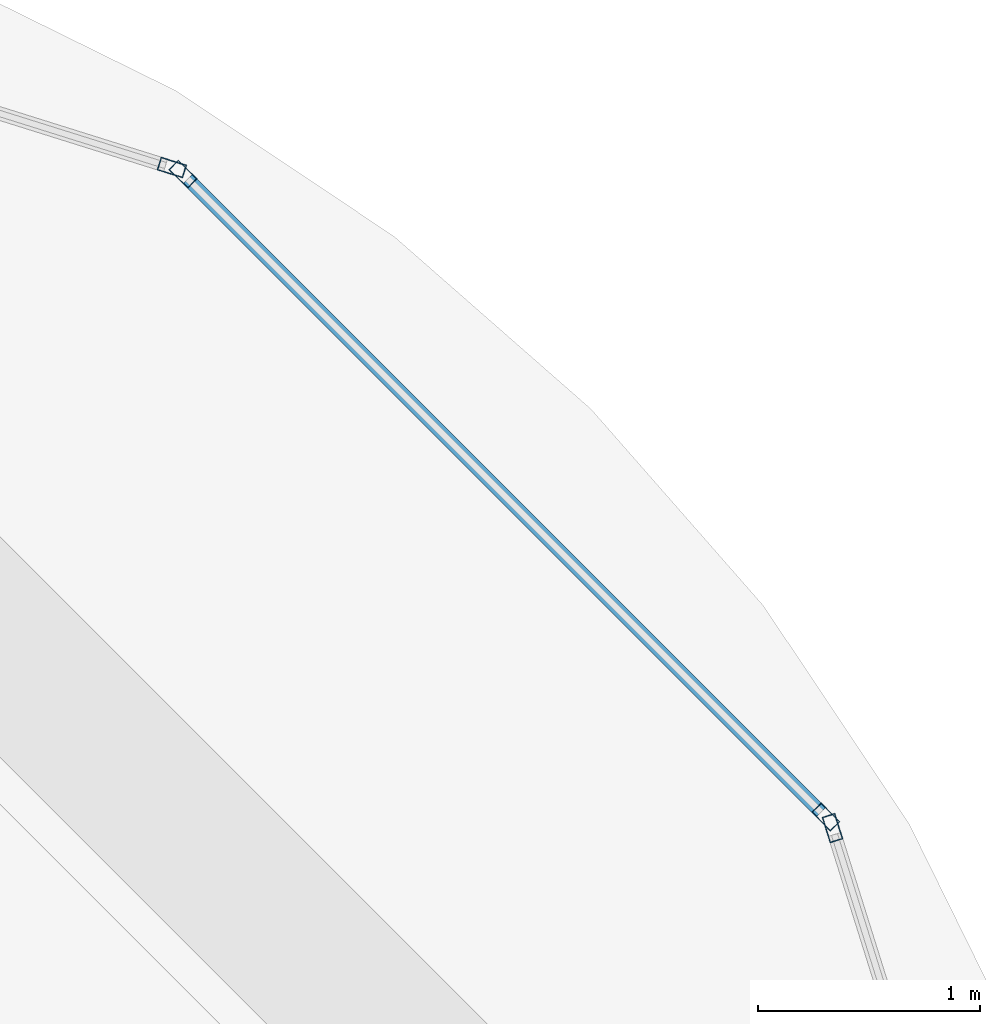
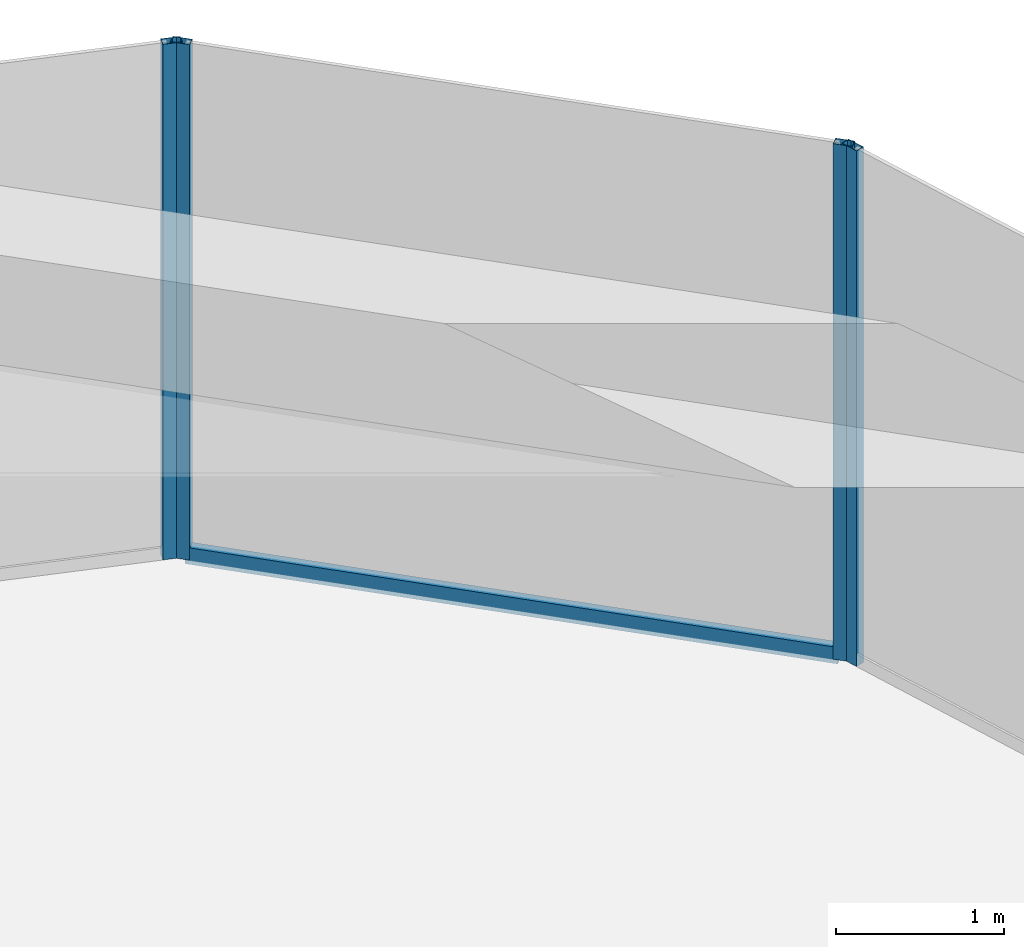
# One storey, part 39 of 45: 5 members, 3 elements without a shape of their own.
"""IFC4 building model written with IfcOpenShell, lengths in metres."""

from ifc_helpers import new_model, si_unit, direction, frame, origin, origin_2d, place, context, subcontext, project, spatial, hollow_rectangle, extrude, material, material_profile, profile_set, type_object, element, aggregate, save


model = new_model("IFC4")

# Units and contexts
model_context = context("Model", 3, precision=1e-05, world=origin(), true_north=direction((0.0, 1.0)))
body_context = subcontext(model_context, "Body", "Model", "MODEL_VIEW")
ifc_project = project(units=[si_unit("LENGTHUNIT", "METRE"), si_unit("AREAUNIT", "SQUARE_METRE"), si_unit("VOLUMEUNIT", "CUBIC_METRE"), si_unit("PLANEANGLEUNIT", "RADIAN"), si_unit("MASSUNIT", "GRAM", prefix="KILO")], contexts=[model_context])

# Site, building, storey
site_placement = place(None, origin())
site = spatial("IfcSite", under=ifc_project, at=site_placement, CompositionType="ELEMENT")
building_placement = place(site_placement, origin())
building = spatial("IfcBuilding", under=site, at=building_placement, Name="Zorevar Civic Tower", CompositionType="ELEMENT")
storey_placement = place(building_placement, frame((0.0, 0.0, 303.39990234375)))
storey = spatial("IfcBuildingStorey", under=building, at=storey_placement, Name="L74", CompositionType="ELEMENT", Elevation=303.39990234375)

# Curtain wall, member
ifc_material_1 = material(Name="Dark grey solar-control glass in black aluminium frame", Category="aluminium")
curtain_wall_type = type_object("IfcCurtainWallType", Name="Curtain wall CW5 top zone", PredefinedType="NOTDEFINED", material=ifc_material_1)
curtain_wall_1_placement = place(storey_placement, origin())
curtain_wall_1 = element("IfcCurtainWall", 1, at=curtain_wall_1_placement, inside=storey, type_object=curtain_wall_type, Name="CW5 L74", PredefinedType="NOTDEFINED")
ifc_material_2 = material(Name="Aluminium, black anodised", Category="aluminium")
ifc_material_profile_1 = material_profile(ifc_material_2, hollow_rectangle(XDim=0.06005859375, YDim=0.1201171875, WallThickness=0.0029296875, at=origin_2d()), Name="AL 120x60x3")
ifc_profile_set_1 = profile_set([ifc_material_profile_1], Name="Aluminium, black anodised")
member_type_1 = type_object("IfcMemberType", Name="CW5 mullion AL 120x60x3", PredefinedType="MULLION", material=ifc_profile_set_1)
member_1_placement = place(storey_placement, frame((52.449951171875, 40.479248046875, 0.0), z_axis=(0.0, 0.0, 1.0), x_axis=(-0.954153437674, -0.299317920238, 0.0)))
member_1 = element("IfcMember", 2, at=member_1_placement, type_object=member_type_1, Name="CW5 mullion 2", PredefinedType="MULLION", context=body_context, shape_type="SweptSolid", body=[
    extrude(hollow_rectangle(XDim=0.06005859375, YDim=0.1201171875, WallThickness=0.0029296875, at=origin_2d()), origin(), (0.0, 0.0, 1.0), 3.75),
])
aggregate(curtain_wall_1, [member_1])

# Curtain wall, members
curtain_wall_2_placement = place(storey_placement, origin())
curtain_wall_2 = element("IfcCurtainWall", 3, at=curtain_wall_2_placement, inside=storey, type_object=curtain_wall_type, Name="CW5 L74", PredefinedType="NOTDEFINED")
member_2_placement = place(storey_placement, frame((52.419677734375, 40.529052734375, 0.0), z_axis=(0.0, 0.0, 1.0), x_axis=(-0.707106781187, -0.707106781187, 0.0)))
member_2 = element("IfcMember", 4, at=member_2_placement, type_object=member_type_1, Name="CW5 mullion 1", PredefinedType="MULLION", context=body_context, shape_type="SweptSolid", body=[
    extrude(hollow_rectangle(XDim=0.06005859375, YDim=0.1201171875, WallThickness=0.0029296875, at=origin_2d()), origin(), (0.0, 0.0, 1.0), 3.75),
])
member_3_placement = place(storey_placement, frame((49.529052734375, 43.419677734375, 0.0), z_axis=(0.0, 0.0, 1.0), x_axis=(-0.707106781187, -0.707106781187, 0.0)))
member_3 = element("IfcMember", 5, at=member_3_placement, type_object=member_type_1, Name="CW5 mullion 2", PredefinedType="MULLION", context=body_context, shape_type="SweptSolid", body=[
    extrude(hollow_rectangle(XDim=0.06005859375, YDim=0.1201171875, WallThickness=0.0029296875, at=origin_2d()), origin(), (0.0, 0.0, 1.0), 3.75),
])

# Curtain wall, member
curtain_wall_3_placement = place(storey_placement, origin())
curtain_wall_3 = element("IfcCurtainWall", 6, at=curtain_wall_3_placement, inside=storey, type_object=curtain_wall_type, Name="CW5 L74", PredefinedType="NOTDEFINED")
member_4_placement = place(storey_placement, frame((49.479248046875, 43.449951171875, 0.0), z_axis=(0.0, 0.0, 1.0), x_axis=(-0.299317920238, -0.954153437674, 0.0)))
member_4 = element("IfcMember", 7, at=member_4_placement, type_object=member_type_1, Name="CW5 mullion 1", PredefinedType="MULLION", context=body_context, shape_type="SweptSolid", body=[
    extrude(hollow_rectangle(XDim=0.06005859375, YDim=0.1201171875, WallThickness=0.0029296875, at=origin_2d()), origin(), (0.0, 0.0, 1.0), 3.75),
])
aggregate(curtain_wall_3, [member_4])

# Member
ifc_material_3 = material(Name="Aluminium, black anodised", Category="aluminium")
ifc_material_profile_2 = material_profile(ifc_material_3, hollow_rectangle(XDim=0.06005859375, YDim=0.1201171875, WallThickness=0.0029296875, at=origin_2d()), Name="AL 120x60x3")
ifc_profile_set_2 = profile_set([ifc_material_profile_2], Name="Aluminium, black anodised")
member_type_2 = type_object("IfcMemberType", Name="CW5 transom AL 120x60x3", PredefinedType="USERDEFINED", material=ifc_profile_set_2)
member_5_placement = place(storey_placement, frame((52.3984375, 40.55029296875, 0.030029296875), z_axis=(-0.707106781187, 0.707106781187, 0.0), x_axis=(-0.707106781187, -0.707106781187, 0.0)))
member_5 = element("IfcMember", 8, at=member_5_placement, type_object=member_type_2, Name="CW5 sill transom", ObjectType="TRANSOM", PredefinedType="USERDEFINED", context=body_context, shape_type="SweptSolid", body=[
    extrude(hollow_rectangle(XDim=0.06005859375, YDim=0.1201171875, WallThickness=0.0029296875, at=origin_2d()), origin(), (0.0, 0.0, 1.0), 4.02783203125),
])

aggregate(curtain_wall_2, [member_2, member_3, member_5])

save(model, "model.ifc")
